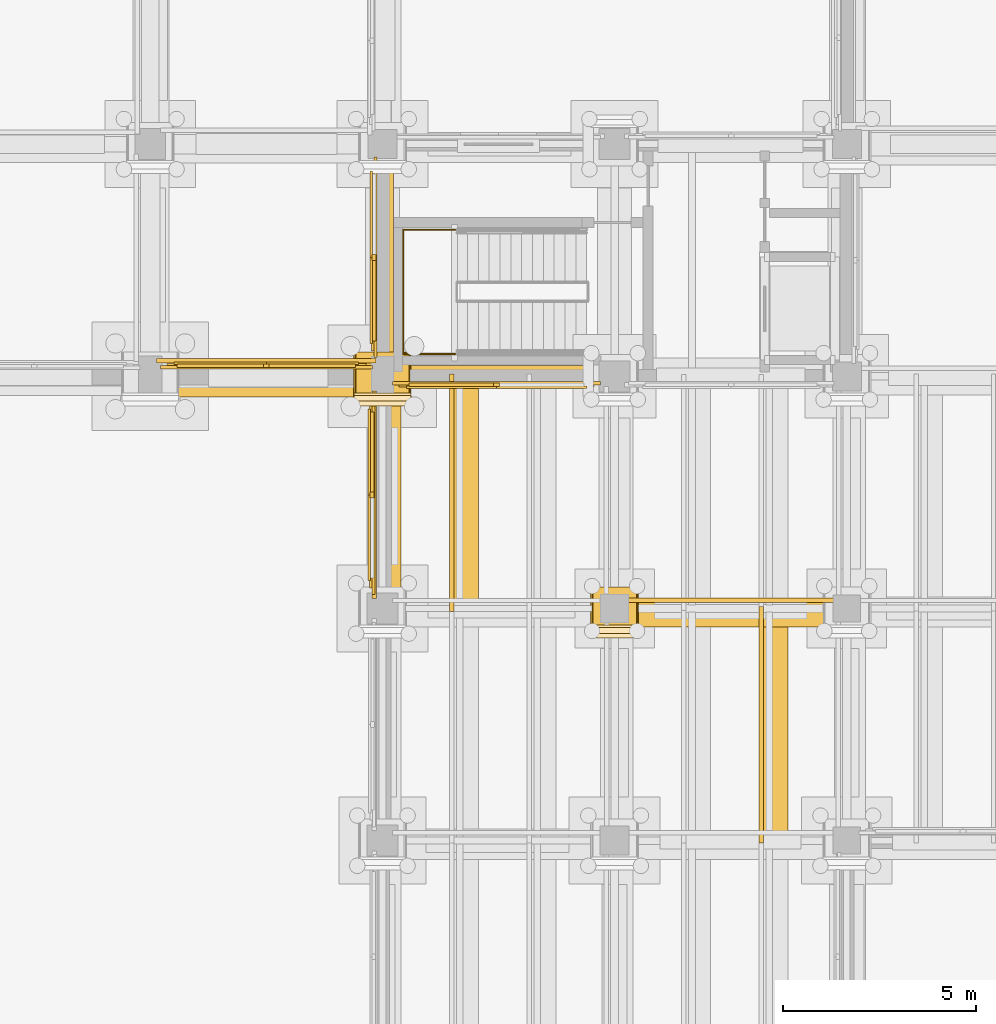
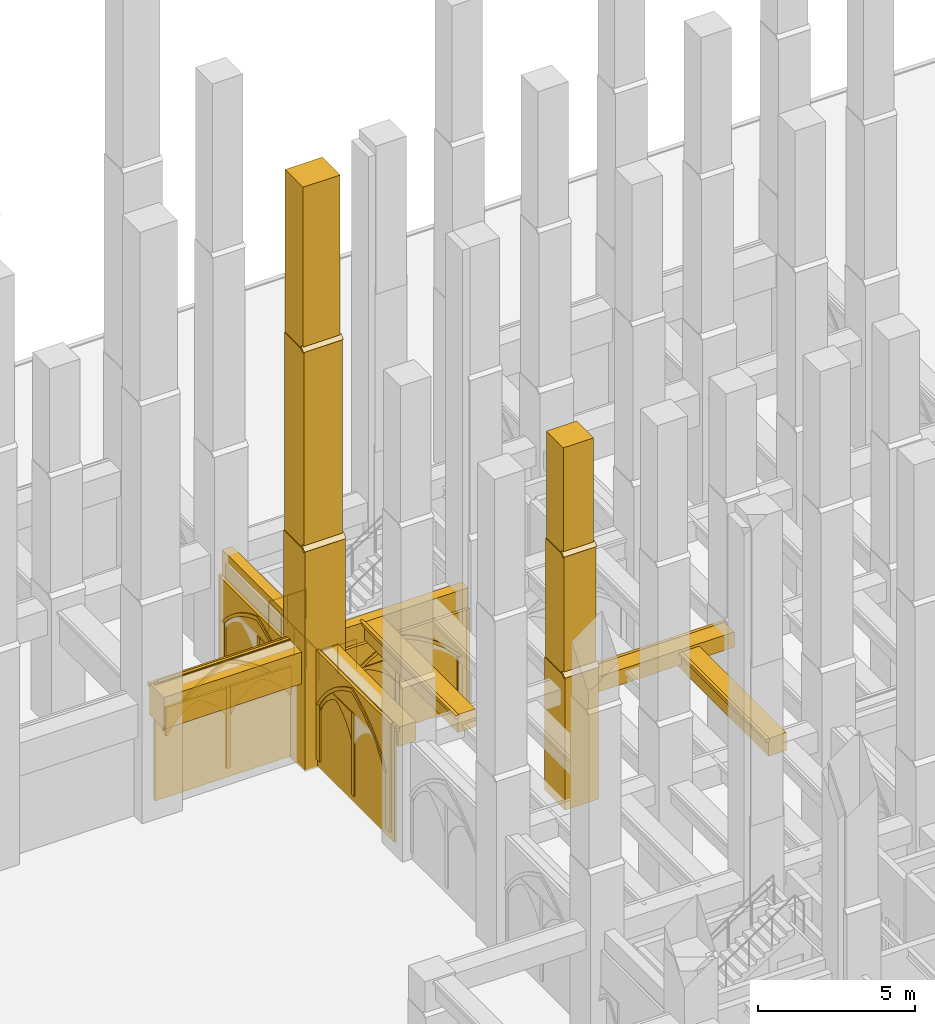
# One storey, part 117 of 135: 43 coverings, 1 railing.
"""IFC4 building model written with IfcOpenShell, lengths in metres."""

from ifc_helpers import new_model, si_unit, direction, frame, origin, origin_2d, place, context, subcontext, project, spatial, polyline, rectangle, circle, outline, extrude, material, type_object, element, save


model = new_model("IFC4")

# Units and contexts
model_context = context("Model", 3, precision=1e-05, world=origin(), true_north=direction((0.0, 1.0)))
body_context = subcontext(model_context, "Body", "Model", "MODEL_VIEW")
ifc_project = project(units=[si_unit("LENGTHUNIT", "METRE"), si_unit("AREAUNIT", "SQUARE_METRE"), si_unit("VOLUMEUNIT", "CUBIC_METRE"), si_unit("PLANEANGLEUNIT", "RADIAN"), si_unit("MASSUNIT", "GRAM", prefix="KILO")], contexts=[model_context])

# Site, building, storey
site_placement = place(None, origin())
site = spatial("IfcSite", under=ifc_project, at=site_placement, CompositionType="ELEMENT")
building_placement = place(site_placement, origin())
building = spatial("IfcBuilding", under=site, at=building_placement, Name="Cumevento Cable Car Station", CompositionType="ELEMENT")
storey_placement = place(building_placement, origin())
storey = spatial("IfcBuildingStorey", under=building, at=storey_placement, Name="L01", CompositionType="ELEMENT", Elevation=0.0)

# Railing
ifc_material_1 = material(Name="Painted Galvanised Architectural Steel", Category="steel")
railing_type = type_object("IfcRailingType", Name="Stair Guardrail GR-S115", PredefinedType="GUARDRAIL", material=ifc_material_1)
railing_placement = place(storey_placement, frame((119.919921875, 45.580078125, 2.25)))
element("IfcRailing", 1, at=railing_placement, inside=storey, type_object=railing_type, Name="Stair Half-Landing Guardrail ST-06-L01", PredefinedType="GUARDRAIL", context=body_context, shape_type="SweptSolid", body=[
    extrude(circle(Radius=0.02392578125, at=origin_2d()), frame((0.0, 0.0, 1.1259765625), z_axis=(-1.0, 0.0, 0.0), x_axis=(0.0, -1.0, 0.0)), (0.0, 0.0, 1.0), 1.3798828125),
    extrude(circle(Radius=0.02392578125, at=origin_2d()), frame((-1.3798828125, 0.0, 1.1259765625), z_axis=(0.0, 1.0, 0.0), x_axis=(-1.0, 0.0, 0.0)), (0.0, 0.0, 1.0), 3.2099609375),
    extrude(circle(Radius=0.02392578125, at=origin_2d()), frame((-1.3798828125, 3.2099609375, 1.1259765625), z_axis=(1.0, 0.0, 0.0), x_axis=(0.0, 1.0, 0.0)), (0.0, 0.0, 1.0), 1.3798828125),
    extrude(circle(Radius=0.02001953125, at=origin_2d()), origin(), (0.0, 0.0, 1.0), 1.101806640625),
    extrude(circle(Radius=0.02001953125, at=origin_2d()), frame((-0.68994140625, 0.0, 0.0)), (0.0, 0.0, 1.0), 1.101806640625),
    extrude(circle(Radius=0.02001953125, at=origin_2d()), frame((-1.3798828125, 0.0, 0.0)), (0.0, 0.0, 1.0), 1.101806640625),
    extrude(circle(Radius=0.02001953125, at=origin_2d()), frame((-1.3798828125, 0.802490234375, 0.0)), (0.0, 0.0, 1.0), 1.101806640625),
    extrude(circle(Radius=0.02001953125, at=origin_2d()), frame((-1.3798828125, 1.60498046875, 0.0)), (0.0, 0.0, 1.0), 1.101806640625),
    extrude(circle(Radius=0.02001953125, at=origin_2d()), frame((-1.3798828125, 2.407470703125, 0.0)), (0.0, 0.0, 1.0), 1.101806640625),
    extrude(circle(Radius=0.02001953125, at=origin_2d()), frame((-1.3798828125, 3.2099609375, 0.0)), (0.0, 0.0, 1.0), 1.101806640625),
    extrude(circle(Radius=0.02001953125, at=origin_2d()), frame((-0.68994140625, 3.2099609375, 0.0)), (0.0, 0.0, 1.0), 1.101806640625),
    extrude(circle(Radius=0.02001953125, at=origin_2d()), frame((0.0, 3.2099609375, 0.0)), (0.0, 0.0, 1.0), 1.101806640625),
])

# Coverings
ifc_material_2 = material(Name="Gnaisse Facoidal Stone Ashlar 85 MPa", Category="masonry")
covering_type = type_object("IfcCoveringType", Name="Gnaisse Ashlar Cladding CV-CL01", PredefinedType="CLADDING", material=ifc_material_2)
covering_1_placement = place(storey_placement, frame((118.0, 44.9423828125, -0.06005859375), z_axis=(0.0, 0.0, 1.0), x_axis=(1.0, 0.0, 0.0)))
element("IfcCovering", 2, at=covering_1_placement, inside=storey, type_object=covering_type, Name="Stepped Gothic Stone Buttress Tier 1 bt:118.0:45.0", PredefinedType="CLADDING", context=body_context, shape_type="SweptSolid", body=[
    extrude(rectangle(XDim=1.489990234375, YDim=1.364990234375, at=origin_2d()), origin(), (0.0, 0.0, 1.0), 8.595703125),
])
covering_2_placement = place(storey_placement, frame((117.235107421875, 44.239990234375, 8.515625), z_axis=(0.0, -0.711135781079, 0.703054692658), x_axis=(1.0, 0.0, 0.0)))
element("IfcCovering", 3, at=covering_2_placement, inside=storey, type_object=covering_type, Name="Gothic Buttress Sloped Stone Weathering 1 bt:118.0:45.0", PredefinedType="CLADDING", context=body_context, shape_type="SweptSolid", body=[
    extrude(outline(polyline([(0.0, 0.0), (1.52978515625, 0.0), (1.52978515625, 0.24169083397703695), (0.0, 0.24169083397703695), (0.0, 0.0)])), origin(), (0.0, 0.0, -1.0), 0.090087890625),
])
covering_3_placement = place(storey_placement, frame((118.0, 45.00244140625, 8.0830078125), z_axis=(0.0, 0.0, 1.0), x_axis=(1.0, 0.0, 0.0)))
element("IfcCovering", 4, at=covering_3_placement, inside=storey, type_object=covering_type, Name="Stepped Gothic Stone Buttress Tier 2 bt:118.0:45.0", PredefinedType="CLADDING", context=body_context, shape_type="SweptSolid", body=[
    extrude(rectangle(XDim=1.429931640625, YDim=1.2451171875, at=origin_2d()), origin(), (0.0, 0.0, 1.0), 8.143310546875),
])
covering_4_placement = place(storey_placement, frame((117.264892578125, 44.360107421875, 16.206298828125), z_axis=(0.0, -0.714474823669, 0.699661151089), x_axis=(1.0, 0.0, 0.0)))
element("IfcCovering", 5, at=covering_4_placement, inside=storey, type_object=covering_type, Name="Gothic Buttress Sloped Stone Weathering 2 bt:118.0:45.0", PredefinedType="CLADDING", context=body_context, shape_type="SweptSolid", body=[
    extrude(outline(polyline([(0.0, 0.0), (1.47021484375, 0.0), (1.47021484375, 0.21424991728737658), (0.0, 0.21424991728737658), (0.0, 0.0)])), origin(), (0.0, 0.0, -1.0), 0.090087890625),
])
covering_5_placement = place(storey_placement, frame((118.0, 45.052490234375, 15.77392578125), z_axis=(0.0, 0.0, 1.0), x_axis=(1.0, 0.0, 0.0)))
element("IfcCovering", 6, at=covering_5_placement, inside=storey, type_object=covering_type, Name="Stepped Gothic Stone Buttress Tier 3 bt:118.0:45.0", PredefinedType="CLADDING", context=body_context, shape_type="SweptSolid", body=[
    extrude(rectangle(XDim=1.3701171875, YDim=1.14501953125, at=origin_2d()), origin(), (0.0, 0.0, 1.0), 6.785888671875),
])
covering_6_placement = place(storey_placement, frame((124.0, 38.909912109375, -0.06005859375), z_axis=(0.0, 0.0, 1.0), x_axis=(1.0, 0.0, 0.0)))
element("IfcCovering", 7, at=covering_6_placement, inside=storey, type_object=covering_type, Name="Stepped Gothic Stone Buttress Tier 1 bt:124.0:39.0", PredefinedType="CLADDING", context=body_context, shape_type="SweptSolid", body=[
    extrude(rectangle(XDim=1.239990234375, YDim=1.300048828125, at=origin_2d()), origin(), (0.0, 0.0, 1.0), 5.175537109375),
])
covering_7_placement = place(storey_placement, frame((123.360107421875, 38.239990234375, 5.095703125), z_axis=(0.0, -0.711135781079, 0.703054692658), x_axis=(1.0, 0.0, 0.0)))
element("IfcCovering", 8, at=covering_7_placement, inside=storey, type_object=covering_type, Name="Gothic Buttress Sloped Stone Weathering 1 bt:124.0:39.0", PredefinedType="CLADDING", context=body_context, shape_type="SweptSolid", body=[
    extrude(outline(polyline([(0.0, 0.0), (1.27978515625, 0.0), (1.27978515625, 0.24169083397703695), (0.0, 0.24169083397703695), (0.0, 0.0)])), origin(), (0.0, 0.0, -1.0), 0.090087890625),
])
covering_8_placement = place(storey_placement, frame((124.0, 38.969970703125, 4.84326171875), z_axis=(0.0, 0.0, 1.0), x_axis=(1.0, 0.0, 0.0)))
element("IfcCovering", 9, at=covering_8_placement, inside=storey, type_object=covering_type, Name="Stepped Gothic Stone Buttress Tier 2 bt:124.0:39.0", PredefinedType="CLADDING", context=body_context, shape_type="SweptSolid", body=[
    extrude(rectangle(XDim=1.179931640625, YDim=1.179931640625, at=origin_2d()), origin(), (0.0, 0.0, 1.0), 4.9033203125),
])
covering_9_placement = place(storey_placement, frame((123.389892578125, 38.360107421875, 9.726318359375), z_axis=(0.0, -0.714474823669, 0.699661151089), x_axis=(1.0, 0.0, 0.0)))
element("IfcCovering", 10, at=covering_9_placement, inside=storey, type_object=covering_type, Name="Gothic Buttress Sloped Stone Weathering 2 bt:124.0:39.0", PredefinedType="CLADDING", context=body_context, shape_type="SweptSolid", body=[
    extrude(outline(polyline([(0.0, 0.0), (1.22021484375, 0.0), (1.22021484375, 0.21424991728737655), (0.0, 0.21424991728737655), (0.0, 0.0)])), origin(), (0.0, 0.0, -1.0), 0.090087890625),
])
covering_10_placement = place(storey_placement, frame((124.0, 39.02001953125, 9.47412109375), z_axis=(0.0, 0.0, 1.0), x_axis=(1.0, 0.0, 0.0)))
element("IfcCovering", 11, at=covering_10_placement, inside=storey, type_object=covering_type, Name="Stepped Gothic Stone Buttress Tier 3 bt:124.0:39.0", PredefinedType="CLADDING", context=body_context, shape_type="SweptSolid", body=[
    extrude(rectangle(XDim=1.1201171875, YDim=1.080078125, at=origin_2d()), origin(), (0.0, 0.0, 1.0), 4.426025390625),
])
covering_11_placement = place(storey_placement, frame((115.0, 44.919921875, 3.25), z_axis=(0.0, 0.0, 1.0), x_axis=(1.0, 0.0, 0.0)))
element("IfcCovering", 12, at=covering_11_placement, inside=storey, type_object=covering_type, Name="Gothic Stone Spandrel Stringcourse sc:0139", PredefinedType="CLADDING", context=body_context, shape_type="SweptSolid", body=[
    extrude(rectangle(XDim=5.639892578125, YDim=0.919921875, at=origin_2d()), origin(), (0.0, 0.0, 1.0), 1.239990234375),
])
covering_12_placement = place(storey_placement, frame((115.0, 45.407470703125, 4.360107421875), z_axis=(0.0, 0.0, 1.0), x_axis=(1.0, 0.0, 0.0)))
element("IfcCovering", 13, at=covering_12_placement, inside=storey, type_object=covering_type, Name="Gothic Cornice Dripstone Lip sc:0139", PredefinedType="CLADDING", context=body_context, shape_type="SweptSolid", body=[
    extrude(rectangle(XDim=5.679931640625, YDim=0.114990234375, at=origin_2d()), origin(), (0.0, 0.0, 1.0), 0.1298828125),
])
covering_13_placement = place(storey_placement, frame((118.090087890625, 48.074951171875, 3.5), z_axis=(0.0, 0.0, 1.0), x_axis=(0.0, 1.0, 0.0)))
element("IfcCovering", 14, at=covering_13_placement, inside=storey, type_object=covering_type, Name="Gothic Stone Spandrel Stringcourse sc:0158", PredefinedType="CLADDING", context=body_context, shape_type="SweptSolid", body=[
    extrude(rectangle(XDim=5.159912109375, YDim=0.3798828125, at=origin_2d()), origin(), (0.0, 0.0, 1.0), 0.989990234375),
])
covering_14_placement = place(storey_placement, frame((127.012451171875, 38.850830078125, 3.89794921875), z_axis=(0.0, 0.0, 1.0), x_axis=(1.0, 0.0, 0.0)))
element("IfcCovering", 15, at=covering_14_placement, inside=storey, type_object=covering_type, Name="Gothic Stone Spandrel Stringcourse sc:0192", PredefinedType="CLADDING", context=body_context, shape_type="SweptSolid", body=[
    extrude(rectangle(XDim=5.514892578125, YDim=0.66162109375, at=origin_2d()), origin(), (0.0, 0.0, 1.0), 0.592041015625),
])
covering_15_placement = place(storey_placement, frame((127.012451171875, 39.208984375, 4.360107421875), z_axis=(0.0, 0.0, 1.0), x_axis=(1.0, 0.0, 0.0)))
element("IfcCovering", 16, at=covering_15_placement, inside=storey, type_object=covering_type, Name="Gothic Cornice Dripstone Lip sc:0192", PredefinedType="CLADDING", context=body_context, shape_type="SweptSolid", body=[
    extrude(rectangle(XDim=5.554931640625, YDim=0.114990234375, at=origin_2d()), origin(), (0.0, 0.0, 1.0), 0.1298828125),
])
covering_16_placement = place(storey_placement, frame((120.949951171875, 45.090087890625, 3.68701171875), z_axis=(0.0, 0.0, 1.0), x_axis=(-1.0, 0.0, 0.0)))
element("IfcCovering", 17, at=covering_16_placement, inside=storey, type_object=covering_type, Name="Gothic Stone Spandrel Stringcourse sc:0194", PredefinedType="CLADDING", context=body_context, shape_type="SweptSolid", body=[
    extrude(rectangle(XDim=5.360107421875, YDim=0.3798828125, at=origin_2d()), origin(), (0.0, 0.0, 1.0), 0.802978515625),
])
covering_17_placement = place(storey_placement, frame((118.14990234375, 41.9375, 3.742919921875), z_axis=(0.0, 0.0, 1.0), x_axis=(0.0, 1.0, 0.0)))
element("IfcCovering", 18, at=covering_17_placement, inside=storey, type_object=covering_type, Name="Gothic Stone Spandrel Stringcourse sc:0198", PredefinedType="CLADDING", context=body_context, shape_type="SweptSolid", body=[
    extrude(rectangle(XDim=5.31494140625, YDim=0.659912109375, at=origin_2d()), origin(), (0.0, 0.0, 1.0), 0.7470703125),
])
covering_18_placement = place(storey_placement, frame((117.79248046875, 41.9375, 4.360107421875), z_axis=(0.0, 0.0, 1.0), x_axis=(0.0, 1.0, 0.0)))
element("IfcCovering", 19, at=covering_18_placement, inside=storey, type_object=covering_type, Name="Gothic Cornice Dripstone Lip sc:0198", PredefinedType="CLADDING", context=body_context, shape_type="SweptSolid", body=[
    extrude(rectangle(XDim=5.35498046875, YDim=0.114990234375, at=origin_2d()), origin(), (0.0, 0.0, 1.0), 0.1298828125),
])
covering_19_placement = place(storey_placement, frame((120.14990234375, 41.989013671875, 3.794921875), z_axis=(0.0, 0.0, 1.0), x_axis=(0.0, 1.0, 0.0)))
element("IfcCovering", 20, at=covering_19_placement, inside=storey, type_object=covering_type, Name="Gothic Stone Spandrel Stringcourse sc:0279", PredefinedType="CLADDING", context=body_context, shape_type="SweptSolid", body=[
    extrude(rectangle(XDim=6.093994140625, YDim=0.659912109375, at=origin_2d()), origin(), (0.0, 0.0, 1.0), 0.695068359375),
])
covering_20_placement = place(storey_placement, frame((119.79248046875, 41.989013671875, 4.360107421875), z_axis=(0.0, 0.0, 1.0), x_axis=(0.0, 1.0, 0.0)))
element("IfcCovering", 21, at=covering_20_placement, inside=storey, type_object=covering_type, Name="Gothic Cornice Dripstone Lip sc:0279", PredefinedType="CLADDING", context=body_context, shape_type="SweptSolid", body=[
    extrude(rectangle(XDim=6.134033203125, YDim=0.114990234375, at=origin_2d()), origin(), (0.0, 0.0, 1.0), 0.1298828125),
])
covering_21_placement = place(storey_placement, frame((128.14990234375, 35.997314453125, 3.69482421875), z_axis=(0.0, 0.0, 1.0), x_axis=(0.0, 1.0, 0.0)))
element("IfcCovering", 22, at=covering_21_placement, inside=storey, type_object=covering_type, Name="Gothic Stone Spandrel Stringcourse sc:0284", PredefinedType="CLADDING", context=body_context, shape_type="SweptSolid", body=[
    extrude(rectangle(XDim=6.06640625, YDim=0.659912109375, at=origin_2d()), origin(), (0.0, 0.0, 1.0), 0.695068359375),
])
covering_22_placement = place(storey_placement, frame((127.79248046875, 35.997314453125, 4.260009765625), z_axis=(0.0, 0.0, 1.0), x_axis=(0.0, 1.0, 0.0)))
element("IfcCovering", 23, at=covering_22_placement, inside=storey, type_object=covering_type, Name="Gothic Cornice Dripstone Lip sc:0284", PredefinedType="CLADDING", context=body_context, shape_type="SweptSolid", body=[
    extrude(rectangle(XDim=6.1064453125, YDim=0.114990234375, at=origin_2d()), origin(), (0.0, 0.0, 1.0), 0.1298828125),
])
covering_23_placement = place(storey_placement, frame((112.300048828125, 45.0, 0.0), z_axis=(0.0, 0.0, 1.0), x_axis=(1.0, 0.0, 0.0)))
element("IfcCovering", 24, at=covering_23_placement, inside=storey, type_object=covering_type, Name="Exterior Gnaisse Stone Wall Ashlar #41", PredefinedType="CLADDING", context=body_context, shape_type="SweptSolid", body=[
    extrude(outline(polyline([(-0.0400390625, -0.02001953125), (5.43994140625, -0.02001953125), (5.43994140625, 4.52001953125), (-0.0400390625, 4.52001953125), (-0.0400390625, -0.02001953125)])), frame((0.0, 0.27490234375, 0.0), z_axis=(0.0, -1.0, 0.0), x_axis=(1.0, 0.0, 0.0)), (0.0, 0.0, 1.0), 0.0849609375),
])
placement_1 = place(storey_placement, frame((112.47998046875, 45.0, 0.300048828125), z_axis=(0.0, 0.0, 1.0), x_axis=(1.0, 0.0, 0.0)))
element("IfcCovering", 25, at=placement_1, inside=storey, type_object=covering_type, Name="Gothic Ogival Pointed-Arch Stone Spandrel blind_ogival:0041", PredefinedType="CLADDING", context=body_context, shape_type="SweptSolid", body=[
    extrude(outline(polyline([(-0.050048828125, 0.0), (-0.050048828125, 4.239990234375), (5.090087890625, 4.239990234375), (5.090087890625, 0.0), (4.780029296875, 0.0), (4.780029296875, 2.219970703125), (4.531982421875, 2.55810546875), (4.255126953125, 2.872802734375), (3.951416015625, 3.161865234375), (3.62353515625, 3.423095703125), (3.273681640625, 3.654296875), (2.905029296875, 3.853759765625), (2.52001953125, 4.02001953125), (2.135009765625, 3.853759765625), (1.766357421875, 3.654296875), (1.41650390625, 3.423095703125), (1.088623046875, 3.161865234375), (0.784912109375, 2.872802734375), (0.508056640625, 2.55810546875), (0.260009765625, 2.219970703125), (0.260009765625, 0.0), (-0.050048828125, 0.0)])), frame((0.0, 0.330078125, 0.0), z_axis=(0.0, -1.0, 0.0), x_axis=(1.0, 0.0, 0.0)), (0.0, 0.0, 1.0), 0.110107421875),
])
covering_25_placement = place(storey_placement, frame((112.47998046875, 45.0, 2.52001953125), z_axis=(0.0, 0.0, 1.0), x_axis=(1.0, 0.0, 0.0)))
element("IfcCovering", 26, at=covering_25_placement, inside=storey, type_object=covering_type, Name="Gothic Pointed Archivolt Hood Moulding blind_ogival:0041", PredefinedType="CLADDING", context=body_context, shape_type="SweptSolid", body=[
    extrude(outline(polyline([(0.260009765625, 0.0), (0.508056640625, 0.338134765625), (0.784912109375, 0.65283203125), (1.088623046875, 0.94189453125), (1.41650390625, 1.203125), (1.766357421875, 1.434326171875), (2.135009765625, 1.6337890625), (2.52001953125, 1.800048828125), (2.905029296875, 1.6337890625), (3.273681640625, 1.434326171875), (3.62353515625, 1.203125), (3.951416015625, 0.94189453125), (4.255126953125, 0.65283203125), (4.531982421875, 0.338134765625), (4.780029296875, 0.0), (4.90087890625, 0.0), (4.6435546875, 0.365478515625), (4.354248046875, 0.706298828125), (4.03564453125, 1.01953125), (3.689697265625, 1.302978515625), (3.31982421875, 1.553955078125), (2.928955078125, 1.770751953125), (2.52001953125, 1.951171875), (2.111083984375, 1.770751953125), (1.72021484375, 1.553955078125), (1.350341796875, 1.302978515625), (1.00439453125, 1.01953125), (0.685791015625, 0.706298828125), (0.396484375, 0.365478515625), (0.138916015625, 0.0), (0.260009765625, 0.0)])), frame((0.0, 0.3720703125, 0.0), z_axis=(0.0, -1.0, 0.0), x_axis=(1.0, 0.0, 0.0)), (0.0, 0.0, 1.0), 0.06689453125),
])
element("IfcCovering", 27, at=placement_1, inside=storey, type_object=covering_type, Name="Gothic Bifora Stone Colonnette blind_ogival:0041 #1", PredefinedType="CLADDING", context=body_context, shape_type="SweptSolid", body=[
    extrude(outline(polyline([(2.445068359375, -0.02001953125), (2.594970703125, -0.02001953125), (2.594970703125, 3.156005859375), (2.445068359375, 3.156005859375), (2.445068359375, -0.02001953125)])), frame((0.0, 0.318115234375, 0.0), z_axis=(0.0, -1.0, 0.0), x_axis=(1.0, 0.0, 0.0)), (0.0, 0.0, 1.0), 0.094970703125),
])
for number, where, z_axis, x_axis, name in (
    (28, (112.7099609375, 45.0, 2.340087890625), (0.0, 0.0, 1.0), (1.0, 0.0, 0.0), "Gothic Ogival Pointed-Arch Stone Spandrel blind_ogival:0041:sub:0"),
    (29, (115.044921875, 45.0, 2.340087890625), (0.0, 0.0, 1.0), (1.0, 0.0, 0.0), "Gothic Ogival Pointed-Arch Stone Spandrel blind_ogival:0041:sub:1"),
):
    element("IfcCovering", number, at=place(storey_placement, frame(where, z_axis=z_axis, x_axis=x_axis)), inside=storey, type_object=covering_type, Name=name, PredefinedType="CLADDING", context=body_context, shape_type="SweptSolid", body=[
        extrude(outline(polyline([(-0.02001953125, 0.0), (-0.02001953125, 1.115966796875), (2.264892578125, 1.115966796875), (2.264892578125, 0.0), (2.205078125, 0.0), (2.076171875, 0.214111328125), (1.923828125, 0.412109375), (1.75, 0.591552734375), (1.556640625, 0.75), (1.3466796875, 0.88525390625), (1.12255859375, 0.99609375), (0.8984375, 0.88525390625), (0.6884765625, 0.75), (0.4951171875, 0.591552734375), (0.3212890625, 0.412109375), (0.1689453125, 0.214111328125), (0.0400390625, 0.0), (-0.02001953125, 0.0)])), frame((0.0, 0.31396484375, 0.0), z_axis=(0.0, -1.0, 0.0), x_axis=(1.0, 0.0, 0.0)), (0.0, 0.0, 1.0), 0.090087890625),
    ])
covering_27_placement = place(storey_placement, frame((118.0, 39.39990234375, 0.0), z_axis=(0.0, 0.0, 1.0), x_axis=(0.0, 1.0, 0.0)))
element("IfcCovering", 30, at=covering_27_placement, inside=storey, type_object=covering_type, Name="Exterior Gnaisse Stone Wall Ashlar #77", PredefinedType="CLADDING", context=body_context, shape_type="SweptSolid", body=[
    extrude(outline(polyline([(-0.0400390625, -0.02001953125), (5.114990234375, -0.02001953125), (5.114990234375, 4.52001953125), (-0.0400390625, 4.52001953125), (-0.0400390625, -0.02001953125)])), frame((0.0, 0.27490234375, 0.0), z_axis=(0.0, -1.0, 0.0), x_axis=(1.0, 0.0, 0.0)), (0.0, 0.0, 1.0), 0.0849609375),
])
placement_2 = place(storey_placement, frame((118.0, 39.580078125, 0.300048828125), z_axis=(0.0, 0.0, 1.0), x_axis=(0.0, 1.0, 0.0)))
element("IfcCovering", 31, at=placement_2, inside=storey, type_object=covering_type, Name="Gothic Ogival Pointed-Arch Stone Spandrel blind_ogival:0077", PredefinedType="CLADDING", context=body_context, shape_type="SweptSolid", body=[
    extrude(outline(polyline([(-0.050048828125, 0.0), (-0.050048828125, 4.239990234375), (4.764892578125, 4.239990234375), (4.764892578125, 0.0), (4.455078125, 0.0), (4.455078125, 2.219970703125), (4.234130859375, 2.5556640625), (3.983154296875, 2.869384765625), (3.703857421875, 3.158203125), (3.39892578125, 3.419921875), (3.071044921875, 3.652099609375), (2.722900390625, 3.8525390625), (2.357421875, 4.02001953125), (1.9921875, 3.8525390625), (1.64404296875, 3.652099609375), (1.316162109375, 3.419921875), (1.01123046875, 3.158203125), (0.73193359375, 2.869384765625), (0.48095703125, 2.5556640625), (0.260009765625, 2.219970703125), (0.260009765625, 0.0), (-0.050048828125, 0.0)])), frame((0.0, 0.330078125, 0.0), z_axis=(0.0, -1.0, 0.0), x_axis=(1.0, 0.0, 0.0)), (0.0, 0.0, 1.0), 0.110107421875),
])
covering_29_placement = place(storey_placement, frame((118.0, 39.580078125, 2.52001953125), z_axis=(0.0, 0.0, 1.0), x_axis=(0.0, 1.0, 0.0)))
element("IfcCovering", 32, at=covering_29_placement, inside=storey, type_object=covering_type, Name="Gothic Pointed Archivolt Hood Moulding blind_ogival:0077", PredefinedType="CLADDING", context=body_context, shape_type="SweptSolid", body=[
    extrude(outline(polyline([(0.260009765625, 0.0), (0.48095703125, 0.335693359375), (0.73193359375, 0.6494140625), (1.01123046875, 0.938232421875), (1.316162109375, 1.199951171875), (1.64404296875, 1.43212890625), (1.9921875, 1.632568359375), (2.357421875, 1.800048828125), (2.722900390625, 1.632568359375), (3.071044921875, 1.43212890625), (3.39892578125, 1.199951171875), (3.703857421875, 0.938232421875), (3.983154296875, 0.6494140625), (4.234130859375, 0.335693359375), (4.455078125, 0.0), (4.575927734375, 0.0), (4.345947265625, 0.363037109375), (4.08251953125, 0.70263671875), (3.7880859375, 1.015625), (3.465576171875, 1.299560546875), (3.117431640625, 1.551513671875), (2.7470703125, 1.769287109375), (2.357421875, 1.951171875), (1.968017578125, 1.769287109375), (1.59765625, 1.551513671875), (1.24951171875, 1.299560546875), (0.927001953125, 1.015625), (0.632568359375, 0.70263671875), (0.369140625, 0.363037109375), (0.138916015625, 0.0), (0.260009765625, 0.0)])), frame((0.0, 0.3720703125, 0.0), z_axis=(0.0, -1.0, 0.0), x_axis=(1.0, 0.0, 0.0)), (0.0, 0.0, 1.0), 0.06689453125),
])
element("IfcCovering", 33, at=placement_2, inside=storey, type_object=covering_type, Name="Gothic Bifora Stone Colonnette blind_ogival:0077 #1", PredefinedType="CLADDING", context=body_context, shape_type="SweptSolid", body=[
    extrude(outline(polyline([(2.282470703125, -0.02001953125), (2.4326171875, -0.02001953125), (2.4326171875, 3.156005859375), (2.282470703125, 3.156005859375), (2.282470703125, -0.02001953125)])), frame((0.0, 0.318115234375, 0.0), z_axis=(0.0, -1.0, 0.0), x_axis=(1.0, 0.0, 0.0)), (0.0, 0.0, 1.0), 0.094970703125),
])
covering_31_placement = place(storey_placement, frame((118.0, 41.982421875, 2.340087890625), z_axis=(0.0, 0.0, 1.0), x_axis=(0.0, 1.0, 0.0)))
element("IfcCovering", 34, at=covering_31_placement, inside=storey, type_object=covering_type, Name="Gothic Ogival Pointed-Arch Stone Spandrel blind_ogival:0077:sub:1", PredefinedType="CLADDING", context=body_context, shape_type="SweptSolid", body=[
    extrude(outline(polyline([(-0.02001953125, 0.0), (-0.02001953125, 1.115966796875), (2.1025390625, 1.115966796875), (2.1025390625, 0.0), (2.04248046875, 0.0), (1.929931640625, 0.21240234375), (1.79248046875, 0.40966796875), (1.632568359375, 0.589111328125), (1.4521484375, 0.748046875), (1.254150390625, 0.884521484375), (1.041259765625, 0.99609375), (0.828369140625, 0.884521484375), (0.63037109375, 0.748046875), (0.449951171875, 0.589111328125), (0.2900390625, 0.40966796875), (0.152587890625, 0.21240234375), (0.0400390625, 0.0), (-0.02001953125, 0.0)])), frame((0.0, 0.31396484375, 0.0), z_axis=(0.0, -1.0, 0.0), x_axis=(1.0, 0.0, 0.0)), (0.0, 0.0, 1.0), 0.090087890625),
])
covering_32_placement = place(storey_placement, frame((123.60009765625, 45.0, 0.0), z_axis=(0.0, 0.0, 1.0), x_axis=(-1.0, 0.0, 0.0)))
element("IfcCovering", 35, at=covering_32_placement, inside=storey, type_object=covering_type, Name="Exterior Gnaisse Stone Wall Ashlar #167", PredefinedType="CLADDING", context=body_context, shape_type="SweptSolid", body=[
    extrude(outline(polyline([(-0.0400390625, -0.02001953125), (5.340087890625, -0.02001953125), (5.340087890625, 3.76708984375), (-0.0400390625, 3.76708984375), (-0.0400390625, -0.02001953125)])), frame((0.0, 0.222412109375, 0.0), z_axis=(0.0, -1.0, 0.0), x_axis=(1.0, 0.0, 0.0)), (0.0, 0.0, 1.0), 0.0849609375),
])
placement_3 = place(storey_placement, frame((123.419921875, 45.0, 0.300048828125), z_axis=(0.0, 0.0, 1.0), x_axis=(-1.0, 0.0, 0.0)))
element("IfcCovering", 36, at=placement_3, inside=storey, type_object=covering_type, Name="Gothic Ogival Pointed-Arch Stone Spandrel blind_ogival:0167", PredefinedType="CLADDING", context=body_context, shape_type="SweptSolid", body=[
    extrude(outline(polyline([(-0.050048828125, 0.0), (-0.050048828125, 3.487060546875), (4.989990234375, 3.487060546875), (4.989990234375, 0.0), (4.679931640625, 0.0), (4.679931640625, 1.79833984375), (4.417724609375, 2.078369140625), (4.134521484375, 2.337158203125), (3.832275390625, 2.573486328125), (3.512939453125, 2.78564453125), (3.177978515625, 2.972900390625), (2.82958984375, 3.133544921875), (2.469970703125, 3.26708984375), (2.1103515625, 3.133544921875), (1.761962890625, 2.972900390625), (1.427001953125, 2.78564453125), (1.107666015625, 2.573486328125), (0.805419921875, 2.337158203125), (0.522216796875, 2.078369140625), (0.260009765625, 1.79833984375), (0.260009765625, 0.0), (-0.050048828125, 0.0)])), frame((0.0, 0.277587890625, 0.0), z_axis=(0.0, -1.0, 0.0), x_axis=(1.0, 0.0, 0.0)), (0.0, 0.0, 1.0), 0.110107421875),
])
covering_34_placement = place(storey_placement, frame((123.419921875, 45.0, 2.098388671875), z_axis=(0.0, 0.0, 1.0), x_axis=(-1.0, 0.0, 0.0)))
element("IfcCovering", 37, at=covering_34_placement, inside=storey, type_object=covering_type, Name="Gothic Pointed Archivolt Hood Moulding blind_ogival:0167", PredefinedType="CLADDING", context=body_context, shape_type="SweptSolid", body=[
    extrude(outline(polyline([(0.260009765625, 0.0), (0.522216796875, 0.280029296875), (0.805419921875, 0.538818359375), (1.107666015625, 0.775146484375), (1.427001953125, 0.9873046875), (1.761962890625, 1.174560546875), (2.1103515625, 1.335205078125), (2.469970703125, 1.46875), (2.82958984375, 1.335205078125), (3.177978515625, 1.174560546875), (3.512939453125, 0.9873046875), (3.832275390625, 0.775146484375), (4.134521484375, 0.538818359375), (4.417724609375, 0.280029296875), (4.679931640625, 0.0), (4.801025390625, 0.0), (4.52880859375, 0.3076171875), (4.233154296875, 0.5927734375), (3.91552734375, 0.853271484375), (3.578369140625, 1.087646484375), (3.223388671875, 1.29443359375), (2.853271484375, 1.47216796875), (2.469970703125, 1.619873046875), (2.086669921875, 1.47216796875), (1.716552734375, 1.29443359375), (1.361572265625, 1.087646484375), (1.0244140625, 0.853271484375), (0.706787109375, 0.5927734375), (0.4111328125, 0.3076171875), (0.138916015625, 0.0), (0.260009765625, 0.0)])), frame((0.0, 0.319580078125, 0.0), z_axis=(0.0, -1.0, 0.0), x_axis=(1.0, 0.0, 0.0)), (0.0, 0.0, 1.0), 0.06689453125),
])
element("IfcCovering", 38, at=placement_3, inside=storey, type_object=covering_type, Name="Gothic Bifora Stone Colonnette blind_ogival:0167 #1", PredefinedType="CLADDING", context=body_context, shape_type="SweptSolid", body=[
    extrude(outline(polyline([(2.39501953125, -0.02001953125), (2.544921875, -0.02001953125), (2.544921875, 2.56201171875), (2.39501953125, 2.56201171875), (2.39501953125, -0.02001953125)])), frame((0.0, 0.265380859375, 0.0), z_axis=(0.0, -1.0, 0.0), x_axis=(1.0, 0.0, 0.0)), (0.0, 0.0, 1.0), 0.094970703125),
])
covering_36_placement = place(storey_placement, frame((120.905029296875, 45.0, 1.918212890625), z_axis=(0.0, 0.0, 1.0), x_axis=(-1.0, 0.0, 0.0)))
element("IfcCovering", 39, at=covering_36_placement, inside=storey, type_object=covering_type, Name="Gothic Ogival Pointed-Arch Stone Spandrel blind_ogival:0167:sub:1", PredefinedType="CLADDING", context=body_context, shape_type="SweptSolid", body=[
    extrude(outline(polyline([(-0.02001953125, 0.0), (-0.02001953125, 0.943603515625), (2.215087890625, 0.943603515625), (2.215087890625, 0.0), (2.155029296875, 0.0), (2.016845703125, 0.179931640625), (1.861083984375, 0.3447265625), (1.689453125, 0.492919921875), (1.503662109375, 0.623046875), (1.3056640625, 0.733642578125), (1.097412109375, 0.82373046875), (0.889404296875, 0.733642578125), (0.69140625, 0.623046875), (0.505615234375, 0.492919921875), (0.333984375, 0.3447265625), (0.17822265625, 0.179931640625), (0.0400390625, 0.0), (-0.02001953125, 0.0)])), frame((0.0, 0.261474609375, 0.0), z_axis=(0.0, -1.0, 0.0), x_axis=(1.0, 0.0, 0.0)), (0.0, 0.0, 1.0), 0.090087890625),
])
covering_37_placement = place(storey_placement, frame((118.0, 45.52490234375, 0.0), z_axis=(0.0, 0.0, 1.0), x_axis=(0.0, 1.0, 0.0)))
element("IfcCovering", 40, at=covering_37_placement, inside=storey, type_object=covering_type, Name="Exterior Gnaisse Stone Wall Ashlar #171", PredefinedType="CLADDING", context=body_context, shape_type="SweptSolid", body=[
    extrude(outline(polyline([(-0.0400390625, -0.02001953125), (5.139892578125, -0.02001953125), (5.139892578125, 3.580078125), (-0.0400390625, 3.580078125), (-0.0400390625, -0.02001953125)])), frame((0.0, 0.222412109375, 0.0), z_axis=(0.0, -1.0, 0.0), x_axis=(1.0, 0.0, 0.0)), (0.0, 0.0, 1.0), 0.0849609375),
])
placement_4 = place(storey_placement, frame((118.0, 45.705078125, 0.300048828125), z_axis=(0.0, 0.0, 1.0), x_axis=(0.0, 1.0, 0.0)))
element("IfcCovering", 41, at=placement_4, inside=storey, type_object=covering_type, Name="Gothic Ogival Pointed-Arch Stone Spandrel blind_ogival:0171", PredefinedType="CLADDING", context=body_context, shape_type="SweptSolid", body=[
    extrude(outline(polyline([(-0.050048828125, 0.0), (-0.050048828125, 3.300048828125), (4.7900390625, 3.300048828125), (4.7900390625, 0.0), (4.47998046875, 0.0), (4.47998046875, 1.693603515625), (4.228515625, 1.9580078125), (3.95751953125, 2.20263671875), (3.668701171875, 2.425537109375), (3.36376953125, 2.6259765625), (3.04443359375, 2.802490234375), (2.71240234375, 2.9541015625), (2.3701171875, 3.080078125), (2.027587890625, 2.9541015625), (1.695556640625, 2.802490234375), (1.376220703125, 2.6259765625), (1.0712890625, 2.425537109375), (0.782470703125, 2.20263671875), (0.511474609375, 1.9580078125), (0.260009765625, 1.693603515625), (0.260009765625, 0.0), (-0.050048828125, 0.0)])), frame((0.0, 0.277587890625, 0.0), z_axis=(0.0, -1.0, 0.0), x_axis=(1.0, 0.0, 0.0)), (0.0, 0.0, 1.0), 0.110107421875),
])
covering_39_placement = place(storey_placement, frame((118.0, 45.705078125, 1.99365234375), z_axis=(0.0, 0.0, 1.0), x_axis=(0.0, 1.0, 0.0)))
element("IfcCovering", 42, at=covering_39_placement, inside=storey, type_object=covering_type, Name="Gothic Pointed Archivolt Hood Moulding blind_ogival:0171", PredefinedType="CLADDING", context=body_context, shape_type="SweptSolid", body=[
    extrude(outline(polyline([(0.260009765625, 0.0), (0.511474609375, 0.264404296875), (0.782470703125, 0.509033203125), (1.0712890625, 0.73193359375), (1.376220703125, 0.932373046875), (1.695556640625, 1.10888671875), (2.027587890625, 1.260498046875), (2.3701171875, 1.386474609375), (2.71240234375, 1.260498046875), (3.04443359375, 1.10888671875), (3.36376953125, 0.932373046875), (3.668701171875, 0.73193359375), (3.95751953125, 0.509033203125), (4.228515625, 0.264404296875), (4.47998046875, 0.0), (4.60107421875, 0.0), (4.33984375, 0.292236328125), (4.05615234375, 0.56298828125), (3.751953125, 0.810302734375), (3.42919921875, 1.03271484375), (3.08984375, 1.228759765625), (2.736083984375, 1.3974609375), (2.3701171875, 1.53759765625), (2.00390625, 1.3974609375), (1.650146484375, 1.228759765625), (1.310791015625, 1.03271484375), (0.988037109375, 0.810302734375), (0.683837890625, 0.56298828125), (0.400146484375, 0.292236328125), (0.138916015625, 0.0), (0.260009765625, 0.0)])), frame((0.0, 0.319580078125, 0.0), z_axis=(0.0, -1.0, 0.0), x_axis=(1.0, 0.0, 0.0)), (0.0, 0.0, 1.0), 0.06689453125),
])
element("IfcCovering", 43, at=placement_4, inside=storey, type_object=covering_type, Name="Gothic Bifora Stone Colonnette blind_ogival:0171 #1", PredefinedType="CLADDING", context=body_context, shape_type="SweptSolid", body=[
    extrude(outline(polyline([(2.294921875, -0.02001953125), (2.445068359375, -0.02001953125), (2.445068359375, 2.41455078125), (2.294921875, 2.41455078125), (2.294921875, -0.02001953125)])), frame((0.0, 0.265380859375, 0.0), z_axis=(0.0, -1.0, 0.0), x_axis=(1.0, 0.0, 0.0)), (0.0, 0.0, 1.0), 0.094970703125),
])
covering_41_placement = place(storey_placement, frame((118.0, 45.93505859375, 1.813720703125), z_axis=(0.0, 0.0, 1.0), x_axis=(0.0, 1.0, 0.0)))
element("IfcCovering", 44, at=covering_41_placement, inside=storey, type_object=covering_type, Name="Gothic Ogival Pointed-Arch Stone Spandrel blind_ogival:0171:sub:0", PredefinedType="CLADDING", context=body_context, shape_type="SweptSolid", body=[
    extrude(outline(polyline([(-0.02001953125, 0.0), (-0.02001953125, 0.90087890625), (2.114990234375, 0.90087890625), (2.114990234375, 0.0), (2.054931640625, 0.0), (1.923095703125, 0.170654296875), (1.7744140625, 0.326904296875), (1.61083984375, 0.467529296875), (1.43408203125, 0.5908203125), (1.24560546875, 0.695556640625), (1.047607421875, 0.781005859375), (0.849365234375, 0.695556640625), (0.660888671875, 0.5908203125), (0.484130859375, 0.467529296875), (0.320556640625, 0.326904296875), (0.171875, 0.170654296875), (0.0400390625, 0.0), (-0.02001953125, 0.0)])), frame((0.0, 0.261474609375, 0.0), z_axis=(0.0, -1.0, 0.0), x_axis=(1.0, 0.0, 0.0)), (0.0, 0.0, 1.0), 0.090087890625),
])

save(model, "model.ifc")
